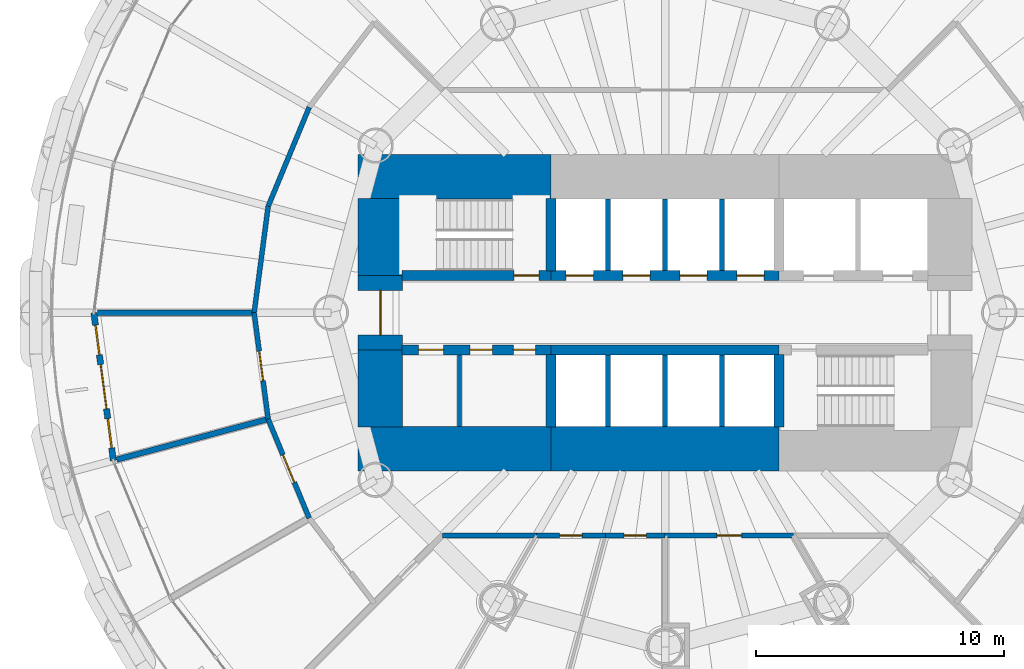
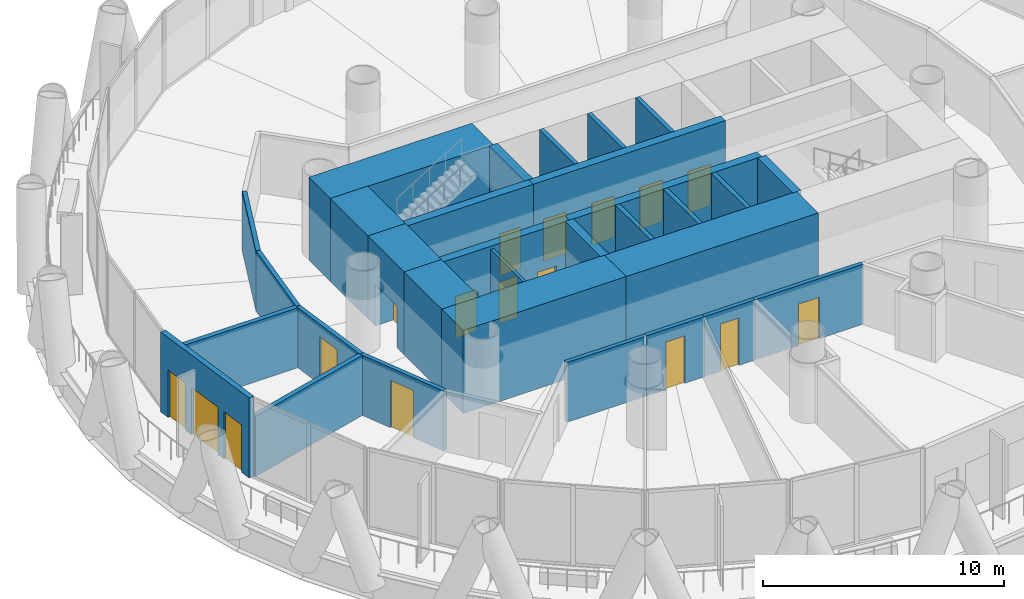
# One storey, part 10 of 16: 31 walls, 15 doors, 2 windows, 17 openings.
"""IFC4 building model written with IfcOpenShell, lengths in metres."""

from ifc_helpers import new_model, si_unit, direction, frame, frame_2d, origin, place, context, subcontext, project, spatial, rectangle, extrude, material, layer, layer_set, type_object, element, fill, save


model = new_model("IFC4")

# Units and contexts
model_context = context("Model", 3, precision=1e-05, world=origin(), true_north=direction((0.0, 1.0)))
body_context = subcontext(model_context, "Body", "Model", "MODEL_VIEW")
ifc_project = project(units=[si_unit("LENGTHUNIT", "METRE"), si_unit("AREAUNIT", "SQUARE_METRE"), si_unit("VOLUMEUNIT", "CUBIC_METRE"), si_unit("PLANEANGLEUNIT", "RADIAN"), si_unit("MASSUNIT", "GRAM", prefix="KILO")], contexts=[model_context])

# Site, building, storey
site_placement = place(None, origin())
site = spatial("IfcSite", under=ifc_project, at=site_placement, CompositionType="ELEMENT")
building_placement = place(site_placement, origin())
building = spatial("IfcBuilding", under=site, at=building_placement, Name="Qaws Media Tower", CompositionType="ELEMENT")
storey_placement = place(building_placement, frame((0.0, 0.0, 89.0)))
storey = spatial("IfcBuildingStorey", under=building, at=storey_placement, Name="L19", CompositionType="ELEMENT", Elevation=89.0)

# Walls
ifc_material_1 = material(Name="Twin metal stud frames, two layers gypsum board each side, insulated, Rw 55", Category="gypsum")
ifc_layer_1 = layer(ifc_material_1, 0.22509765625)
ifc_layer_set_1 = layer_set([ifc_layer_1], Name="Acoustic twin-stud partition 225 Rw 55")
wall_type_1 = type_object("IfcWallType", Name="Acoustic twin-stud partition 225 Rw 55", PredefinedType="PARTITIONING", material=ifc_layer_set_1)
for number, where, z_axis, x_axis, name in (
    (1, (43.39990234375, 50.0, 0.0), (0.0, 0.0, 1.0), (-1.0, 0.0, 0.0), "W085 IW6 partition L19"),
    (2, (43.965576171875, 45.70361328125, 0.0), (0.0, 0.0, 1.0), (-0.965924656247, -0.25882341172, 0.0), "W086 IW6 partition L19"),
):
    element("IfcWall", number, at=place(storey_placement, frame(where, z_axis=z_axis, x_axis=x_axis)), inside=storey, type_object=wall_type_1, Name=name, PredefinedType="PARTITIONING", context=body_context, shape_type="SweptSolid", body=[
        extrude(rectangle(XDim=6.3349609375, YDim=0.22509765625, at=frame_2d((3.16748046875, 0.0))), origin(), (0.0, 0.0, 1.0), 3.0400390625),
    ])

# Wall, openings, door, windows
ifc_material_2 = material(Name="Precast concrete, exposed finish", Category="concrete")
ifc_layer_2 = layer(ifc_material_2, 0.25)
ifc_layer_set_2 = layer_set([ifc_layer_2], Name="Balcony door wall 250")
wall_type_2 = type_object("IfcWallType", Name="Balcony door wall 250", PredefinedType="SOLIDWALL", material=ifc_layer_set_2)
wall_1_placement = place(storey_placement, frame((36.925048828125, 50.0, 0.0), z_axis=(0.0, 0.0, 1.0), x_axis=(0.130506933898, -0.99144739659, 0.0)))
wall_1 = element("IfcWall", 3, at=wall_1_placement, inside=storey, type_object=wall_type_2, Name="W157 EW1 balcony door wall L19-13", PredefinedType="SOLIDWALL", context=body_context, shape_type="SweptSolid", body=[
    extrude(rectangle(XDim=6.023681640625, YDim=0.25, at=frame_2d((3.01171875, 0.0))), origin(), (0.0, 0.0, 1.0), 4.0400390625),
])
opening_1_placement = place(wall_1_placement, frame((2.11181640625, 0.0, 0.0)))
opening_1 = element("IfcOpeningElement", 4, at=opening_1_placement, cuts=wall_1, Name="Opening D7", PredefinedType="OPENING", context=body_context, shape_type="SweptSolid", body=[
    extrude(rectangle(XDim=1.800048828125, YDim=2.39990234375, at=frame_2d((0.89990234375, 1.199951171875))), frame((0.0, 0.135009765625, 0.0), z_axis=(0.0, -1.0, 0.0), x_axis=(1.0, 0.0, 0.0)), (0.0, 0.0, 1.0), 0.27001953125),
])
opening_2_placement = place(wall_1_placement, frame((0.511962890625, 0.0, 0.0)))
opening_2 = element("IfcOpeningElement", 5, at=opening_2_placement, cuts=wall_1, Name="Opening W1", PredefinedType="OPENING", context=body_context, shape_type="SweptSolid", body=[
    extrude(rectangle(XDim=1.199951171875, YDim=2.39990234375, at=frame_2d((0.60009765625, 1.199951171875))), frame((0.0, 0.135009765625, 0.0), z_axis=(0.0, -1.0, 0.0), x_axis=(1.0, 0.0, 0.0)), (0.0, 0.0, 1.0), 0.27001953125),
])
opening_3_placement = place(wall_1_placement, frame((4.31201171875, 0.0, 0.0)))
opening_3 = element("IfcOpeningElement", 6, at=opening_3_placement, cuts=wall_1, Name="Opening W1", PredefinedType="OPENING", context=body_context, shape_type="SweptSolid", body=[
    extrude(rectangle(XDim=1.199951171875, YDim=2.39990234375, at=frame_2d((0.60009765625, 1.199951171875))), frame((0.0, 0.135009765625, 0.0), z_axis=(0.0, -1.0, 0.0), x_axis=(1.0, 0.0, 0.0)), (0.0, 0.0, 1.0), 0.27001953125),
])
ifc_material_3 = material(Name="Aluminium and clear glass", Category="aluminium")
door_type_1 = type_object("IfcDoorType", Name="Balcony door pair 1800", OperationType="DOUBLE_DOOR_SLIDING", PredefinedType="DOOR", material=ifc_material_3)
door_1_placement = place(opening_1_placement, origin())
door_1 = element("IfcDoor", 7, at=door_1_placement, inside=storey, type_object=door_type_1, Name="D7 balcony door L19-13 in wall W157", OperationType="DOUBLE_DOOR_SLIDING", OverallHeight=2.39990234375, OverallWidth=1.800048828125, PredefinedType="DOOR", context=body_context, shape_type="SweptSolid", body=[
    extrude(rectangle(XDim=1.800048828125, YDim=2.39990234375, at=frame_2d((0.89990234375, 1.199951171875))), frame((0.0, 0.02490234375, 0.0), z_axis=(0.0, -1.0, 0.0), x_axis=(1.0, 0.0, 0.0)), (0.0, 0.0, 1.0), 0.050048828125),
])
fill(opening_1, door_1)
ifc_material_4 = material(Name="Aluminium and clear glass", Category="aluminium")
window_type = type_object("IfcWindowType", Name="Balcony side window 1200", PartitioningType="SINGLE_PANEL", PredefinedType="WINDOW", material=ifc_material_4)
window_1_placement = place(opening_2_placement, origin())
window_1 = element("IfcWindow", 8, at=window_1_placement, inside=storey, type_object=window_type, Name="W1 balcony side light L19-13L", OverallHeight=2.39990234375, OverallWidth=1.199951171875, PartitioningType="SINGLE_PANEL", PredefinedType="WINDOW", context=body_context, shape_type="SweptSolid", body=[
    extrude(rectangle(XDim=1.199951171875, YDim=2.39990234375, at=frame_2d((0.60009765625, 1.199951171875))), frame((0.0, 0.030029296875, 0.0), z_axis=(0.0, -1.0, 0.0), x_axis=(1.0, 0.0, 0.0)), (0.0, 0.0, 1.0), 0.06005859375),
])
fill(opening_2, window_1)
window_2_placement = place(opening_3_placement, origin())
window_2 = element("IfcWindow", 9, at=window_2_placement, inside=storey, type_object=window_type, Name="W1 balcony side light L19-13R", OverallHeight=2.39990234375, OverallWidth=1.199951171875, PartitioningType="SINGLE_PANEL", PredefinedType="WINDOW", context=body_context, shape_type="SweptSolid", body=[
    extrude(rectangle(XDim=1.199951171875, YDim=2.39990234375, at=frame_2d((0.60009765625, 1.199951171875))), frame((0.0, 0.030029296875, 0.0), z_axis=(0.0, -1.0, 0.0), x_axis=(1.0, 0.0, 0.0)), (0.0, 0.0, 1.0), 0.06005859375),
])
fill(opening_3, window_2)

# Wall, opening, door
ifc_material_5 = material(Name="Concrete C60/75", Category="concrete")
ifc_layer_3 = layer(ifc_material_5, 0.39990234375)
ifc_layer_set_3 = layer_set([ifc_layer_3], Name="Core inner wall 400")
wall_type_3 = type_object("IfcWallType", Name="Core inner wall 400", PredefinedType="SHEAR", material=ifc_layer_set_3)
wall_2_placement = place(storey_placement, frame((49.3798828125, 51.5, 0.0), z_axis=(0.0, 0.0, 1.0), x_axis=(1.0, 0.0, 0.0)))
wall_2 = element("IfcWall", 10, at=wall_2_placement, inside=storey, type_object=wall_type_3, Name="W311 SW4 core wall SPNW L19", PredefinedType="SHEAR", context=body_context, shape_type="SweptSolid", body=[
    extrude(rectangle(XDim=6.02001953125, YDim=0.39990234375, at=frame_2d((3.010009765625, 0.0))), origin(), (0.0, 0.0, 1.0), 4.199951171875),
])
opening_4_placement = place(wall_2_placement, frame((4.52001953125, 0.0, 0.0)))
opening_4 = element("IfcOpeningElement", 11, at=opening_4_placement, cuts=wall_2, Name="Opening D1", PredefinedType="OPENING", context=body_context, shape_type="SweptSolid", body=[
    extrude(rectangle(XDim=1.0, YDim=2.10009765625, at=frame_2d((0.5, 1.050048828125))), frame((0.0, 0.2099609375, 0.0), z_axis=(0.0, -1.0, 0.0), x_axis=(1.0, 0.0, 0.0)), (0.0, 0.0, 1.0), 0.419921875),
])
ifc_material_6 = material(Name="Steel, fire rated", Category="steel")
door_type_2 = type_object("IfcDoorType", Name="Stair door 1000 FD120", OperationType="SINGLE_SWING_LEFT", PredefinedType="DOOR", material=ifc_material_6)
door_2_placement = place(opening_4_placement, origin())
door_2 = element("IfcDoor", 12, at=door_2_placement, inside=storey, type_object=door_type_2, Name="D1 stair S1 door L19 in wall W311", OperationType="SINGLE_SWING_LEFT", OverallHeight=2.10009765625, OverallWidth=1.0, PredefinedType="DOOR", context=body_context, shape_type="SweptSolid", body=[
    extrude(rectangle(XDim=1.0, YDim=2.10009765625, at=frame_2d((0.5, 1.050048828125))), frame((0.0, 0.02490234375, 0.0), z_axis=(0.0, -1.0, 0.0), x_axis=(1.0, 0.0, 0.0)), (0.0, 0.0, 1.0), 0.050048828125),
])
fill(opening_4, door_2)

# Wall, openings, doors
wall_3_placement = place(storey_placement, frame((55.39990234375, 51.5, 0.0), z_axis=(0.0, 0.0, 1.0), x_axis=(1.0, 0.0, 0.0)))
wall_3 = element("IfcWall", 13, at=wall_3_placement, inside=storey, type_object=wall_type_3, Name="W314 SW4 core wall SPN L19", PredefinedType="SHEAR", context=body_context, shape_type="SweptSolid", body=[
    extrude(rectangle(XDim=9.2001953125, YDim=0.39990234375, at=frame_2d((4.60009765625, 0.0))), origin(), (0.0, 0.0, 1.0), 4.199951171875),
])
opening_5_placement = place(wall_3_placement, frame((0.60009765625, 0.0, 0.0)))
opening_5 = element("IfcOpeningElement", 14, at=opening_5_placement, cuts=wall_3, Name="Opening LD", PredefinedType="OPENING", context=body_context, shape_type="SweptSolid", body=[
    extrude(rectangle(XDim=1.10009765625, YDim=2.10009765625, at=frame_2d((0.550048828125, 1.050048828125))), frame((0.0, 0.2099609375, 0.0), z_axis=(0.0, -1.0, 0.0), x_axis=(1.0, 0.0, 0.0)), (0.0, 0.0, 1.0), 0.419921875),
])
opening_6_placement = place(wall_3_placement, frame((2.89990234375, 0.0, 0.0)))
opening_6 = element("IfcOpeningElement", 15, at=opening_6_placement, cuts=wall_3, Name="Opening LD", PredefinedType="OPENING", context=body_context, shape_type="SweptSolid", body=[
    extrude(rectangle(XDim=1.10009765625, YDim=2.10009765625, at=frame_2d((0.550048828125, 1.050048828125))), frame((0.0, 0.2099609375, 0.0), z_axis=(0.0, -1.0, 0.0), x_axis=(1.0, 0.0, 0.0)), (0.0, 0.0, 1.0), 0.419921875),
])
opening_7_placement = place(wall_3_placement, frame((5.199951171875, 0.0, 0.0)))
opening_7 = element("IfcOpeningElement", 16, at=opening_7_placement, cuts=wall_3, Name="Opening LD", PredefinedType="OPENING", context=body_context, shape_type="SweptSolid", body=[
    extrude(rectangle(XDim=1.10009765625, YDim=2.10009765625, at=frame_2d((0.550048828125, 1.050048828125))), frame((0.0, 0.2099609375, 0.0), z_axis=(0.0, -1.0, 0.0), x_axis=(1.0, 0.0, 0.0)), (0.0, 0.0, 1.0), 0.419921875),
])
opening_8_placement = place(wall_3_placement, frame((7.5, 0.0, 0.0)))
opening_8 = element("IfcOpeningElement", 17, at=opening_8_placement, cuts=wall_3, Name="Opening LD", PredefinedType="OPENING", context=body_context, shape_type="SweptSolid", body=[
    extrude(rectangle(XDim=1.10009765625, YDim=2.10009765625, at=frame_2d((0.550048828125, 1.050048828125))), frame((0.0, 0.2099609375, 0.0), z_axis=(0.0, -1.0, 0.0), x_axis=(1.0, 0.0, 0.0)), (0.0, 0.0, 1.0), 0.419921875),
])
ifc_material_7 = material(Name="Steel, fire rated", Category="steel")
door_type_3 = type_object("IfcDoorType", Name="Lift landing door 1100", OperationType="SLIDING_TO_LEFT", PredefinedType="DOOR", material=ifc_material_7)
door_3_placement = place(opening_5_placement, origin())
door_3 = element("IfcDoor", 18, at=door_3_placement, inside=storey, type_object=door_type_3, Name="P1 landing door L19 in wall W314", OperationType="SLIDING_TO_LEFT", OverallHeight=2.10009765625, OverallWidth=1.10009765625, PredefinedType="DOOR", context=body_context, shape_type="SweptSolid", body=[
    extrude(rectangle(XDim=1.10009765625, YDim=2.10009765625, at=frame_2d((0.550048828125, 1.050048828125))), frame((0.0, 0.02490234375, 0.0), z_axis=(0.0, -1.0, 0.0), x_axis=(1.0, 0.0, 0.0)), (0.0, 0.0, 1.0), 0.050048828125),
])
fill(opening_5, door_3)
door_4_placement = place(opening_6_placement, origin())
door_4 = element("IfcDoor", 19, at=door_4_placement, inside=storey, type_object=door_type_3, Name="P2 landing door L19 in wall W314", OperationType="SLIDING_TO_LEFT", OverallHeight=2.10009765625, OverallWidth=1.10009765625, PredefinedType="DOOR", context=body_context, shape_type="SweptSolid", body=[
    extrude(rectangle(XDim=1.10009765625, YDim=2.10009765625, at=frame_2d((0.550048828125, 1.050048828125))), frame((0.0, 0.02490234375, 0.0), z_axis=(0.0, -1.0, 0.0), x_axis=(1.0, 0.0, 0.0)), (0.0, 0.0, 1.0), 0.050048828125),
])
fill(opening_6, door_4)
door_5_placement = place(opening_7_placement, origin())
door_5 = element("IfcDoor", 20, at=door_5_placement, inside=storey, type_object=door_type_3, Name="P3 landing door L19 in wall W314", OperationType="SLIDING_TO_LEFT", OverallHeight=2.10009765625, OverallWidth=1.10009765625, PredefinedType="DOOR", context=body_context, shape_type="SweptSolid", body=[
    extrude(rectangle(XDim=1.10009765625, YDim=2.10009765625, at=frame_2d((0.550048828125, 1.050048828125))), frame((0.0, 0.02490234375, 0.0), z_axis=(0.0, -1.0, 0.0), x_axis=(1.0, 0.0, 0.0)), (0.0, 0.0, 1.0), 0.050048828125),
])
fill(opening_7, door_5)
door_6_placement = place(opening_8_placement, origin())
door_6 = element("IfcDoor", 21, at=door_6_placement, inside=storey, type_object=door_type_3, Name="P4 landing door L19 in wall W314", OperationType="SLIDING_TO_LEFT", OverallHeight=2.10009765625, OverallWidth=1.10009765625, PredefinedType="DOOR", context=body_context, shape_type="SweptSolid", body=[
    extrude(rectangle(XDim=1.10009765625, YDim=2.10009765625, at=frame_2d((0.550048828125, 1.050048828125))), frame((0.0, 0.02490234375, 0.0), z_axis=(0.0, -1.0, 0.0), x_axis=(1.0, 0.0, 0.0)), (0.0, 0.0, 1.0), 0.050048828125),
])
fill(opening_8, door_6)

wall_4_placement = place(storey_placement, frame((49.3798828125, 48.5, 0.0), z_axis=(0.0, 0.0, 1.0), x_axis=(1.0, 0.0, 0.0)))
wall_4 = element("IfcWall", 22, at=wall_4_placement, inside=storey, type_object=wall_type_3, Name="W310 SW4 core wall SPSW L19", PredefinedType="SHEAR", context=body_context, shape_type="SweptSolid", body=[
    extrude(rectangle(XDim=6.02001953125, YDim=0.39990234375, at=frame_2d((3.010009765625, 0.0))), origin(), (0.0, 0.0, 1.0), 4.199951171875),
])
opening_9_placement = place(wall_4_placement, frame((0.669921875, 0.0, 0.0)))
opening_9 = element("IfcOpeningElement", 23, at=opening_9_placement, cuts=wall_4, Name="Opening D4", PredefinedType="OPENING", context=body_context, shape_type="SweptSolid", body=[
    extrude(rectangle(XDim=1.0, YDim=2.10009765625, at=frame_2d((0.5, 1.050048828125))), frame((0.0, 0.2099609375, 0.0), z_axis=(0.0, -1.0, 0.0), x_axis=(1.0, 0.0, 0.0)), (0.0, 0.0, 1.0), 0.419921875),
])
opening_10_placement = place(wall_4_placement, frame((2.7451171875, 0.0, 0.0)))
opening_10 = element("IfcOpeningElement", 24, at=opening_10_placement, cuts=wall_4, Name="Opening D3", PredefinedType="OPENING", context=body_context, shape_type="SweptSolid", body=[
    extrude(rectangle(XDim=0.89990234375, YDim=2.10009765625, at=frame_2d((0.449951171875, 1.050048828125))), frame((0.0, 0.2099609375, 0.0), z_axis=(0.0, -1.0, 0.0), x_axis=(1.0, 0.0, 0.0)), (0.0, 0.0, 1.0), 0.419921875),
])
opening_11_placement = place(wall_4_placement, frame((4.4951171875, 0.0, 0.0)))
opening_11 = element("IfcOpeningElement", 25, at=opening_11_placement, cuts=wall_4, Name="Opening D3", PredefinedType="OPENING", context=body_context, shape_type="SweptSolid", body=[
    extrude(rectangle(XDim=0.89990234375, YDim=2.10009765625, at=frame_2d((0.449951171875, 1.050048828125))), frame((0.0, 0.2099609375, 0.0), z_axis=(0.0, -1.0, 0.0), x_axis=(1.0, 0.0, 0.0)), (0.0, 0.0, 1.0), 0.419921875),
])
ifc_material_8 = material(Name="Timber veneered", Category="wood")
door_type_4 = type_object("IfcDoorType", Name="Accessible WC door 1000", OperationType="SLIDING_TO_LEFT", PredefinedType="DOOR", material=ifc_material_8)
door_7_placement = place(opening_9_placement, origin())
door_7 = element("IfcDoor", 26, at=door_7_placement, inside=storey, type_object=door_type_4, Name="D4 toilet door 1 L19 in wall W310", OperationType="SLIDING_TO_LEFT", OverallHeight=2.10009765625, OverallWidth=1.0, PredefinedType="DOOR", context=body_context, shape_type="SweptSolid", body=[
    extrude(rectangle(XDim=1.0, YDim=2.10009765625, at=frame_2d((0.5, 1.050048828125))), frame((0.0, 0.02490234375, 0.0), z_axis=(0.0, -1.0, 0.0), x_axis=(1.0, 0.0, 0.0)), (0.0, 0.0, 1.0), 0.050048828125),
])
fill(opening_9, door_7)
ifc_material_9 = material(Name="Timber veneered", Category="wood")
door_type_5 = type_object("IfcDoorType", Name="Toilet door 900", OperationType="SINGLE_SWING_RIGHT", PredefinedType="DOOR", material=ifc_material_9)
door_8_placement = place(opening_10_placement, origin())
door_8 = element("IfcDoor", 27, at=door_8_placement, inside=storey, type_object=door_type_5, Name="D3 toilet door 2 L19 in wall W310", OperationType="SINGLE_SWING_RIGHT", OverallHeight=2.10009765625, OverallWidth=0.89990234375, PredefinedType="DOOR", context=body_context, shape_type="SweptSolid", body=[
    extrude(rectangle(XDim=0.89990234375, YDim=2.10009765625, at=frame_2d((0.449951171875, 1.050048828125))), frame((0.0, 0.02490234375, 0.0), z_axis=(0.0, -1.0, 0.0), x_axis=(1.0, 0.0, 0.0)), (0.0, 0.0, 1.0), 0.050048828125),
])
fill(opening_10, door_8)
door_9_placement = place(opening_11_placement, origin())
door_9 = element("IfcDoor", 28, at=door_9_placement, inside=storey, type_object=door_type_5, Name="D3 toilet door 3 L19 in wall W310", OperationType="SINGLE_SWING_RIGHT", OverallHeight=2.10009765625, OverallWidth=0.89990234375, PredefinedType="DOOR", context=body_context, shape_type="SweptSolid", body=[
    extrude(rectangle(XDim=0.89990234375, YDim=2.10009765625, at=frame_2d((0.449951171875, 1.050048828125))), frame((0.0, 0.02490234375, 0.0), z_axis=(0.0, -1.0, 0.0), x_axis=(1.0, 0.0, 0.0)), (0.0, 0.0, 1.0), 0.050048828125),
])
fill(opening_11, door_9)

# Walls
wall_5_placement = place(storey_placement, frame((55.39990234375, 48.5, 0.0), z_axis=(0.0, 0.0, 1.0), x_axis=(1.0, 0.0, 0.0)))
element("IfcWall", 29, at=wall_5_placement, inside=storey, type_object=wall_type_3, Name="W313 SW4 core wall SPS L19", PredefinedType="SHEAR", context=body_context, shape_type="SweptSolid", body=[
    extrude(rectangle(XDim=9.2001953125, YDim=0.39990234375, at=frame_2d((4.60009765625, 0.0))), origin(), (0.0, 0.0, 1.0), 4.199951171875),
])
for number, where, z_axis, x_axis, name in (
    (30, (55.39990234375, 51.679931640625, 0.0), (0.0, 0.0, 1.0), (0.0, 1.0, 0.0), "W315 SW4 core wall XNW L19"),
    (31, (55.39990234375, 48.320068359375, 0.0), (0.0, 0.0, 1.0), (0.0, -1.0, 0.0), "W312 SW4 core wall XSW L19"),
    (32, (64.60009765625, 48.320068359375, 0.0), (0.0, 0.0, 1.0), (0.0, -1.0, 0.0), "W316 SW4 core wall XSE L19"),
):
    element("IfcWall", number, at=place(storey_placement, frame(where, z_axis=z_axis, x_axis=x_axis)), inside=storey, type_object=wall_type_3, Name=name, PredefinedType="SHEAR", context=body_context, shape_type="SweptSolid", body=[
        extrude(rectangle(XDim=2.940185546875, YDim=0.39990234375, at=frame_2d((1.47021484375, 0.0))), origin(), (0.0, 0.0, 1.0), 4.199951171875),
    ])
ifc_material_10 = material(Name="Concrete C60/75", Category="concrete")
ifc_layer_4 = layer(ifc_material_10, 1.800048828125)
ifc_layer_set_4 = layer_set([ifc_layer_4], Name="Core wall 1800")
wall_type_4 = type_object("IfcWallType", Name="Core wall 1800", PredefinedType="SHEAR", material=ifc_layer_set_4)
for number, where, z_axis, x_axis, name in (
    (33, (47.60009765625, 55.5, 0.0), (0.0, 0.0, 1.0), (1.0, 0.0, 0.0), "W399 SW11 core wall NW L19"),
    (34, (47.60009765625, 44.5, 0.0), (0.0, 0.0, 1.0), (1.0, 0.0, 0.0), "W398 SW11 core wall SW L19"),
):
    element("IfcWall", number, at=place(storey_placement, frame(where, z_axis=z_axis, x_axis=x_axis)), inside=storey, type_object=wall_type_4, Name=name, PredefinedType="SHEAR", context=body_context, shape_type="SweptSolid", body=[
        extrude(rectangle(XDim=7.7998046875, YDim=1.800048828125, at=frame_2d((3.89990234375, 0.0))), origin(), (0.0, 0.0, 1.0), 4.199951171875),
    ])
wall_6_placement = place(storey_placement, frame((55.39990234375, 44.5, 0.0), z_axis=(0.0, 0.0, 1.0), x_axis=(1.0, 0.0, 0.0)))
element("IfcWall", 35, at=wall_6_placement, inside=storey, type_object=wall_type_4, Name="W403 SW11 core wall S L19", PredefinedType="SHEAR", context=body_context, shape_type="SweptSolid", body=[
    extrude(rectangle(XDim=9.2001953125, YDim=1.800048828125, at=frame_2d((4.60009765625, 0.0))), origin(), (0.0, 0.0, 1.0), 4.199951171875),
])
wall_7_placement = place(storey_placement, frame((48.5, 45.3798828125, 0.0), z_axis=(0.0, 0.0, 1.0), x_axis=(0.0, 1.0, 0.0)))
element("IfcWall", 36, at=wall_7_placement, inside=storey, type_object=wall_type_4, Name="W400 SW11 core wall WS L19", PredefinedType="SHEAR", context=body_context, shape_type="SweptSolid", body=[
    extrude(rectangle(XDim=3.1201171875, YDim=1.800048828125, at=frame_2d((1.56005859375, 0.0))), origin(), (0.0, 0.0, 1.0), 4.199951171875),
])

# Wall, opening, door
wall_8_placement = place(storey_placement, frame((48.5, 48.5, 0.0), z_axis=(0.0, 0.0, 1.0), x_axis=(0.0, 1.0, 0.0)))
wall_8 = element("IfcWall", 37, at=wall_8_placement, inside=storey, type_object=wall_type_4, Name="W401 SW11 core wall W L19", PredefinedType="SHEAR", context=body_context, shape_type="SweptSolid", body=[
    extrude(rectangle(XDim=3.0, YDim=1.800048828125, at=frame_2d((1.5, 0.0))), origin(), (0.0, 0.0, 1.0), 4.199951171875),
])
opening_12_placement = place(wall_8_placement, frame((0.60009765625, 0.0, 0.0)))
opening_12 = element("IfcOpeningElement", 38, at=opening_12_placement, cuts=wall_8, Name="Opening D2", PredefinedType="OPENING", context=body_context, shape_type="SweptSolid", body=[
    extrude(rectangle(XDim=1.800048828125, YDim=2.10009765625, at=frame_2d((0.89990234375, 1.050048828125))), frame((0.0, 0.909912109375, 0.0), z_axis=(0.0, -1.0, 0.0), x_axis=(1.0, 0.0, 0.0)), (0.0, 0.0, 1.0), 1.820068359375),
])
ifc_material_11 = material(Name="Steel and glass, fire rated", Category="steel")
door_type_6 = type_object("IfcDoorType", Name="Lobby door pair 1800 FD60", OperationType="DOUBLE_DOOR_DOUBLE_SWING", PredefinedType="DOOR", material=ifc_material_11)
door_10_placement = place(opening_12_placement, origin())
door_10 = element("IfcDoor", 39, at=door_10_placement, inside=storey, type_object=door_type_6, Name="D2 core lobby door W L19 in wall W401", OperationType="DOUBLE_DOOR_DOUBLE_SWING", OverallHeight=2.10009765625, OverallWidth=1.800048828125, PredefinedType="DOOR", context=body_context, shape_type="SweptSolid", body=[
    extrude(rectangle(XDim=1.800048828125, YDim=2.10009765625, at=frame_2d((0.89990234375, 1.050048828125))), frame((0.0, 0.02490234375, 0.0), z_axis=(0.0, -1.0, 0.0), x_axis=(1.0, 0.0, 0.0)), (0.0, 0.0, 1.0), 0.050048828125),
])
fill(opening_12, door_10)

# Wall
wall_9_placement = place(storey_placement, frame((48.5, 51.5, 0.0), z_axis=(0.0, 0.0, 1.0), x_axis=(0.0, 1.0, 0.0)))
element("IfcWall", 40, at=wall_9_placement, inside=storey, type_object=wall_type_4, Name="W402 SW11 core wall WN L19", PredefinedType="SHEAR", context=body_context, shape_type="SweptSolid", body=[
    extrude(rectangle(XDim=3.1201171875, YDim=1.800048828125, at=frame_2d((1.56005859375, 0.0))), origin(), (0.0, 0.0, 1.0), 4.199951171875),
])

# Wall, opening, door
ifc_material_12 = material(Name="Gypsum board on galvanised metal studs, acoustic double stud, deflection head", Category="gypsum")
ifc_layer_5 = layer(ifc_material_12, 0.199951171875)
ifc_layer_set_5 = layer_set([ifc_layer_5], Name="Room partition 200")
wall_type_5 = type_object("IfcWallType", Name="Room partition 200", PredefinedType="PARTITIONING", material=ifc_layer_set_5)
wall_10_placement = place(storey_placement, frame((45.6240234375, 41.699951171875, 0.0), z_axis=(0.0, 0.0, 1.0), x_axis=(-0.382698425325, 0.923873322082, 0.0)))
wall_10 = element("IfcWall", 41, at=wall_10_placement, inside=storey, type_object=wall_type_5, Name="W991 IW3 partition L19", PredefinedType="PARTITIONING", context=body_context, shape_type="SweptSolid", body=[
    extrude(rectangle(XDim=4.33349609375, YDim=0.199951171875, at=frame_2d((2.166748046875, 0.0))), origin(), (0.0, 0.0, 1.0), 3.0400390625),
])
opening_13_placement = place(wall_10_placement, frame((1.566650390625, 0.0, 0.0)))
opening_13 = element("IfcOpeningElement", 42, at=opening_13_placement, cuts=wall_10, Name="Opening D14", PredefinedType="OPENING", context=body_context, shape_type="SweptSolid", body=[
    extrude(rectangle(XDim=1.199951171875, YDim=2.39990234375, at=frame_2d((0.60009765625, 1.199951171875))), frame((0.0, 0.10986328125, 0.0), z_axis=(0.0, -1.0, 0.0), x_axis=(1.0, 0.0, 0.0)), (0.0, 0.0, 1.0), 0.219970703125),
])
ifc_material_13 = material(Name="Steel acoustic door set, Rw 45", Category="steel")
door_type_7 = type_object("IfcDoorType", Name="Acoustic door 1200x2400 Rw 45", OperationType="SINGLE_SWING_LEFT", PredefinedType="DOOR", material=ifc_material_13)
door_11_placement = place(opening_13_placement, origin())
door_11 = element("IfcDoor", 43, at=door_11_placement, inside=storey, type_object=door_type_7, Name="D14 Translation booth door L19 in wall W991", OperationType="SINGLE_SWING_LEFT", OverallHeight=2.39990234375, OverallWidth=1.199951171875, PredefinedType="DOOR", context=body_context, shape_type="SweptSolid", body=[
    extrude(rectangle(XDim=1.199951171875, YDim=2.39990234375, at=frame_2d((0.60009765625, 1.199951171875))), frame((0.0, 0.02490234375, 0.0), z_axis=(0.0, -1.0, 0.0), x_axis=(1.0, 0.0, 0.0)), (0.0, 0.0, 1.0), 0.050048828125),
])
fill(opening_13, door_11)

wall_11_placement = place(storey_placement, frame((43.965576171875, 45.70361328125, 0.0), z_axis=(0.0, 0.0, 1.0), x_axis=(-0.130536124221, 0.99144355375, 0.0)))
wall_11 = element("IfcWall", 44, at=wall_11_placement, inside=storey, type_object=wall_type_5, Name="W987 IW3 partition L19", PredefinedType="PARTITIONING", context=body_context, shape_type="SweptSolid", body=[
    extrude(rectangle(XDim=4.33349609375, YDim=0.199951171875, at=frame_2d((2.166748046875, 0.0))), origin(), (0.0, 0.0, 1.0), 3.0400390625),
])
opening_14_placement = place(wall_11_placement, frame((1.566650390625, 0.0, 0.0)))
opening_14 = element("IfcOpeningElement", 45, at=opening_14_placement, cuts=wall_11, Name="Opening D14", PredefinedType="OPENING", context=body_context, shape_type="SweptSolid", body=[
    extrude(rectangle(XDim=1.199951171875, YDim=2.39990234375, at=frame_2d((0.60009765625, 1.199951171875))), frame((0.0, 0.10986328125, 0.0), z_axis=(0.0, -1.0, 0.0), x_axis=(1.0, 0.0, 0.0)), (0.0, 0.0, 1.0), 0.219970703125),
])
door_12_placement = place(opening_14_placement, origin())
door_12 = element("IfcDoor", 46, at=door_12_placement, inside=storey, type_object=door_type_7, Name="D14 Translation booth door L19 in wall W987", OperationType="SINGLE_SWING_LEFT", OverallHeight=2.39990234375, OverallWidth=1.199951171875, PredefinedType="DOOR", context=body_context, shape_type="SweptSolid", body=[
    extrude(rectangle(XDim=1.199951171875, YDim=2.39990234375, at=frame_2d((0.60009765625, 1.199951171875))), frame((0.0, 0.02490234375, 0.0), z_axis=(0.0, -1.0, 0.0), x_axis=(1.0, 0.0, 0.0)), (0.0, 0.0, 1.0), 0.050048828125),
])
fill(opening_14, door_12)

# Walls
for number, where, z_axis, x_axis, name in (
    (47, (43.39990234375, 50.0, 0.0), (0.0, 0.0, 1.0), (0.130536124221, 0.99144355375, 0.0), "W985 IW3 partition L19"),
    (48, (43.965576171875, 54.29638671875, 0.0), (0.0, 0.0, 1.0), (0.382698425325, 0.923873322082, 0.0), "W989 IW3 partition L19"),
):
    element("IfcWall", number, at=place(storey_placement, frame(where, z_axis=z_axis, x_axis=x_axis)), inside=storey, type_object=wall_type_5, Name=name, PredefinedType="PARTITIONING", context=body_context, shape_type="SweptSolid", body=[
        extrude(rectangle(XDim=4.33349609375, YDim=0.199951171875, at=frame_2d((2.166748046875, 0.0))), origin(), (0.0, 0.0, 1.0), 3.0400390625),
    ])

# Wall, opening, door
wall_12_placement = place(storey_placement, frame((65.1962890625, 41.0, 0.0), z_axis=(0.0, 0.0, 1.0), x_axis=(-1.0, 0.0, 0.0)))
wall_12 = element("IfcWall", 49, at=wall_12_placement, inside=storey, type_object=wall_type_5, Name="W1103 IW3 partition L19", PredefinedType="PARTITIONING", context=body_context, shape_type="SweptSolid", body=[
    extrude(rectangle(XDim=5.1962890625, YDim=0.199951171875, at=frame_2d((2.59814453125, 0.0))), origin(), (0.0, 0.0, 1.0), 3.0400390625),
])
opening_15_placement = place(wall_12_placement, frame((2.09814453125, 0.0, 0.0)))
opening_15 = element("IfcOpeningElement", 50, at=opening_15_placement, cuts=wall_12, Name="Opening D5", PredefinedType="OPENING", context=body_context, shape_type="SweptSolid", body=[
    extrude(rectangle(XDim=1.0, YDim=2.10009765625, at=frame_2d((0.5, 1.050048828125))), frame((0.0, 0.10986328125, 0.0), z_axis=(0.0, -1.0, 0.0), x_axis=(1.0, 0.0, 0.0)), (0.0, 0.0, 1.0), 0.219970703125),
])
ifc_material_14 = material(Name="Timber veneered, acoustic seal", Category="wood")
door_type_8 = type_object("IfcDoorType", Name="Room door 1000", OperationType="SINGLE_SWING_LEFT", PredefinedType="DOOR", material=ifc_material_14)
door_13_placement = place(opening_15_placement, origin())
door_13 = element("IfcDoor", 51, at=door_13_placement, inside=storey, type_object=door_type_8, Name="D5 Satellite booking office door L19 in wall W1103", OperationType="SINGLE_SWING_LEFT", OverallHeight=2.10009765625, OverallWidth=1.0, PredefinedType="DOOR", context=body_context, shape_type="SweptSolid", body=[
    extrude(rectangle(XDim=1.0, YDim=2.10009765625, at=frame_2d((0.5, 1.050048828125))), frame((0.0, 0.02490234375, 0.0), z_axis=(0.0, -1.0, 0.0), x_axis=(1.0, 0.0, 0.0)), (0.0, 0.0, 1.0), 0.050048828125),
])
fill(opening_15, door_13)

wall_13_placement = place(storey_placement, frame((60.0, 41.0, 0.0), z_axis=(0.0, 0.0, 1.0), x_axis=(-1.0, 0.0, 0.0)))
wall_13 = element("IfcWall", 52, at=wall_13_placement, inside=storey, type_object=wall_type_5, Name="W1101 IW3 partition L19", PredefinedType="PARTITIONING", context=body_context, shape_type="SweptSolid", body=[
    extrude(rectangle(XDim=2.41162109375, YDim=0.199951171875, at=frame_2d((1.205810546875, 0.0))), origin(), (0.0, 0.0, 1.0), 3.0400390625),
])
opening_16_placement = place(wall_13_placement, frame((0.755859375, 0.0, 0.0)))
opening_16 = element("IfcOpeningElement", 53, at=opening_16_placement, cuts=wall_13, Name="Opening D12", PredefinedType="OPENING", context=body_context, shape_type="SweptSolid", body=[
    extrude(rectangle(XDim=0.89990234375, YDim=2.39990234375, at=frame_2d((0.449951171875, 1.199951171875))), frame((0.0, 0.10986328125, 0.0), z_axis=(0.0, -1.0, 0.0), x_axis=(1.0, 0.0, 0.0)), (0.0, 0.0, 1.0), 0.219970703125),
])
ifc_material_15 = material(Name="Timber veneered, full height", Category="wood")
door_type_9 = type_object("IfcDoorType", Name="Office door 900x2400", OperationType="SINGLE_SWING_LEFT", PredefinedType="DOOR", material=ifc_material_15)
door_14_placement = place(opening_16_placement, origin())
door_14 = element("IfcDoor", 54, at=door_14_placement, inside=storey, type_object=door_type_9, Name="D12 Editor's office door L19 in wall W1101", OperationType="SINGLE_SWING_LEFT", OverallHeight=2.39990234375, OverallWidth=0.89990234375, PredefinedType="DOOR", context=body_context, shape_type="SweptSolid", body=[
    extrude(rectangle(XDim=0.89990234375, YDim=2.39990234375, at=frame_2d((0.449951171875, 1.199951171875))), frame((0.0, 0.02490234375, 0.0), z_axis=(0.0, -1.0, 0.0), x_axis=(1.0, 0.0, 0.0)), (0.0, 0.0, 1.0), 0.050048828125),
])
fill(opening_16, door_14)

wall_14_placement = place(storey_placement, frame((57.58837890625, 41.0, 0.0), z_axis=(0.0, 0.0, 1.0), x_axis=(-1.0, 0.0, 0.0)))
wall_14 = element("IfcWall", 55, at=wall_14_placement, inside=storey, type_object=wall_type_5, Name="W1099 IW3 partition L19", PredefinedType="PARTITIONING", context=body_context, shape_type="SweptSolid", body=[
    extrude(rectangle(XDim=2.78466796875, YDim=0.199951171875, at=frame_2d((1.392333984375, 0.0))), origin(), (0.0, 0.0, 1.0), 3.0400390625),
])
opening_17_placement = place(wall_14_placement, frame((0.9423828125, 0.0, 0.0)))
opening_17 = element("IfcOpeningElement", 56, at=opening_17_placement, cuts=wall_14, Name="Opening D12", PredefinedType="OPENING", context=body_context, shape_type="SweptSolid", body=[
    extrude(rectangle(XDim=0.89990234375, YDim=2.39990234375, at=frame_2d((0.449951171875, 1.199951171875))), frame((0.0, 0.10986328125, 0.0), z_axis=(0.0, -1.0, 0.0), x_axis=(1.0, 0.0, 0.0)), (0.0, 0.0, 1.0), 0.219970703125),
])
door_15_placement = place(opening_17_placement, origin())
door_15 = element("IfcDoor", 57, at=door_15_placement, inside=storey, type_object=door_type_9, Name="D12 Editor's office door L19 in wall W1099", OperationType="SINGLE_SWING_LEFT", OverallHeight=2.39990234375, OverallWidth=0.89990234375, PredefinedType="DOOR", context=body_context, shape_type="SweptSolid", body=[
    extrude(rectangle(XDim=0.89990234375, YDim=2.39990234375, at=frame_2d((0.449951171875, 1.199951171875))), frame((0.0, 0.02490234375, 0.0), z_axis=(0.0, -1.0, 0.0), x_axis=(1.0, 0.0, 0.0)), (0.0, 0.0, 1.0), 0.050048828125),
])
fill(opening_17, door_15)

# Walls
wall_15_placement = place(storey_placement, frame((54.8037109375, 41.0, 0.0), z_axis=(0.0, 0.0, 1.0), x_axis=(-1.0, 0.0, 0.0)))
element("IfcWall", 58, at=wall_15_placement, inside=storey, type_object=wall_type_5, Name="W997 IW3 partition L19", PredefinedType="PARTITIONING", context=body_context, shape_type="SweptSolid", body=[
    extrude(rectangle(XDim=3.8037109375, YDim=0.199951171875, at=frame_2d((1.90185546875, 0.0))), origin(), (0.0, 0.0, 1.0), 3.02001953125),
])
ifc_material_16 = material(Name="Fire-rated gypsum board shaft wall on galvanised metal studs, deflection head", Category="gypsum")
ifc_layer_6 = layer(ifc_material_16, 0.199951171875)
ifc_layer_set_6 = layer_set([ifc_layer_6], Name="Shaft wall 200")
wall_type_6 = type_object("IfcWallType", Name="Shaft wall 200", PredefinedType="PARTITIONING", material=ifc_layer_set_6)
for number, where, z_axis, x_axis, name in (
    (59, (57.699951171875, 51.699951171875, 0.0), (0.0, 0.0, 1.0), (0.0, 1.0, 0.0), "W1842 IW1 shaft wall N1 L19"),
    (60, (60.0, 51.699951171875, 0.0), (0.0, 0.0, 1.0), (0.0, 1.0, 0.0), "W1843 IW1 shaft wall N2 L19"),
    (61, (62.300048828125, 51.699951171875, 0.0), (0.0, 0.0, 1.0), (0.0, 1.0, 0.0), "W1844 IW1 shaft wall N3 L19"),
    (62, (57.699951171875, 45.39990234375, 0.0), (0.0, 0.0, 1.0), (0.0, 1.0, 0.0), "W1835 IW1 shaft wall S1 L19"),
    (63, (60.0, 45.39990234375, 0.0), (0.0, 0.0, 1.0), (0.0, 1.0, 0.0), "W1837 IW1 shaft wall S2 L19"),
    (64, (62.300048828125, 45.39990234375, 0.0), (0.0, 0.0, 1.0), (0.0, 1.0, 0.0), "W1839 IW1 shaft wall S3 L19"),
):
    element("IfcWall", number, at=place(storey_placement, frame(where, z_axis=z_axis, x_axis=x_axis)), inside=storey, type_object=wall_type_6, Name=name, PredefinedType="PARTITIONING", context=body_context, shape_type="SweptSolid", body=[
        extrude(rectangle(XDim=2.900146484375, YDim=0.199951171875, at=frame_2d((1.4501953125, 0.0))), origin(), (0.0, 0.0, 1.0), 4.199951171875),
    ])
ifc_material_17 = material(Name="Gypsum board on galvanised metal studs, deflection head", Category="gypsum")
ifc_layer_7 = layer(ifc_material_17, 0.14990234375)
ifc_layer_set_7 = layer_set([ifc_layer_7], Name="WC partition 150")
wall_type_7 = type_object("IfcWallType", Name="WC partition 150", PredefinedType="PARTITIONING", material=ifc_layer_set_7)
wall_16_placement = place(storey_placement, frame((51.699951171875, 45.39990234375, 0.0), z_axis=(0.0, 0.0, 1.0), x_axis=(0.0, 1.0, 0.0)))
element("IfcWall", 65, at=wall_16_placement, inside=storey, type_object=wall_type_7, Name="W1904 IW2 toilet partition 1 L19", PredefinedType="PARTITIONING", context=body_context, shape_type="SweptSolid", body=[
    extrude(rectangle(XDim=2.900146484375, YDim=0.14990234375, at=frame_2d((1.4501953125, 0.0))), origin(), (0.0, 0.0, 1.0), 4.0400390625),
])

save(model, "model.ifc")
